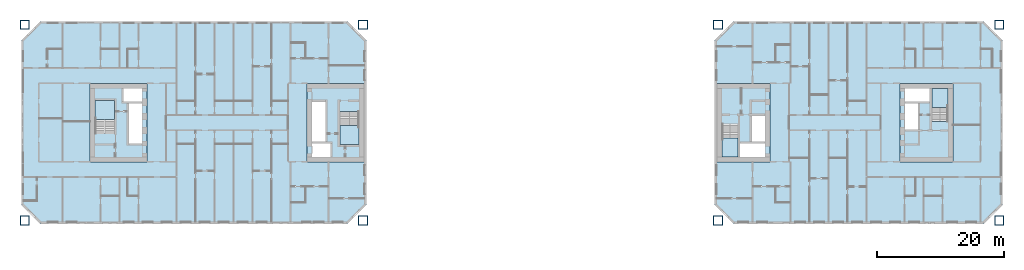
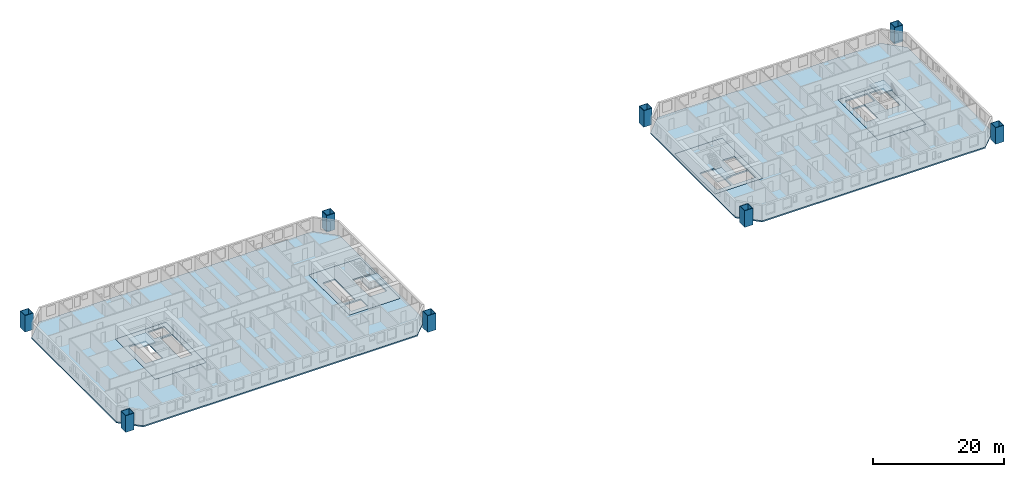
# One storey, part 1 of 17: 10 slabs, 8 columns, 4 elements without a shape of their own.
"""IFC4 building model written with IfcOpenShell, lengths in metres."""

from ifc_helpers import new_model, si_unit, direction, frame, origin, origin_2d, place, context, subcontext, project, spatial, polyline, hollow_rectangle, outline, extrude, material, layer, layer_set, material_profile, profile_set, type_object, element, aggregate, save


model = new_model("IFC4")

# Units and contexts
model_context = context("Model", 3, precision=1e-05, world=origin(), true_north=direction((0.0, 1.0)))
body_context = subcontext(model_context, "Body", "Model", "MODEL_VIEW")
ifc_project = project(units=[si_unit("LENGTHUNIT", "METRE"), si_unit("AREAUNIT", "SQUARE_METRE"), si_unit("VOLUMEUNIT", "CUBIC_METRE"), si_unit("PLANEANGLEUNIT", "RADIAN"), si_unit("MASSUNIT", "GRAM", prefix="KILO")], contexts=[model_context])

# Site, building, storey
site_placement = place(None, origin())
site = spatial("IfcSite", under=ifc_project, at=site_placement, CompositionType="ELEMENT")
building_placement = place(site_placement, origin())
building = spatial("IfcBuilding", under=site, at=building_placement, Name="Tuart Gate Housing", CompositionType="ELEMENT")
storey_placement = place(building_placement, frame((0.0, 0.0, 50.5)))
storey = spatial("IfcBuildingStorey", under=building, at=storey_placement, Name="L13", CompositionType="ELEMENT", Elevation=50.5)

# Columns
ifc_material_1 = material(Name="Steel Grade 350", Category="steel")
ifc_material_profile = material_profile(ifc_material_1, hollow_rectangle(XDim=1.5, YDim=1.5, WallThickness=0.080078125, at=origin_2d()), Name="BOX 1500x1500x80")
ifc_profile_set = profile_set([ifc_material_profile], Name="Steel Grade 350")
column_type = type_object("IfcColumnType", Name="Mega column BOX 1500x1500x80", PredefinedType="COLUMN", material=ifc_profile_set)
for number, where, z_axis, x_axis, name in (
    (1, (22.050048828125, 54.550048828125, 0.0), (0.0, 0.0, 1.0), (1.0, 0.0, 0.0), "Mega column A south-west L13"),
    (2, (75.449951171875, 54.550048828125, 0.0), (0.0, 0.0, 1.0), (1.0, 0.0, 0.0), "Mega column A south-east L13"),
    (3, (75.449951171875, 85.449951171875, 0.0), (0.0, 0.0, 1.0), (1.0, 0.0, 0.0), "Mega column A north-east L13"),
    (4, (22.050048828125, 85.449951171875, 0.0), (0.0, 0.0, 1.0), (1.0, 0.0, 0.0), "Mega column A north-west L13"),
    (5, (131.550048828125, 54.550048828125, 0.0), (0.0, 0.0, 1.0), (1.0, 0.0, 0.0), "Mega column B south-west L13"),
    (6, (175.949951171875, 54.550048828125, 0.0), (0.0, 0.0, 1.0), (1.0, 0.0, 0.0), "Mega column B south-east L13"),
    (7, (175.949951171875, 85.449951171875, 0.0), (0.0, 0.0, 1.0), (1.0, 0.0, 0.0), "Mega column B north-east L13"),
    (8, (131.550048828125, 85.449951171875, 0.0), (0.0, 0.0, 1.0), (1.0, 0.0, 0.0), "Mega column B north-west L13"),
):
    element("IfcColumn", number, at=place(storey_placement, frame(where, z_axis=z_axis, x_axis=x_axis)), inside=storey, type_object=column_type, Name=name, PredefinedType="COLUMN", context=body_context, shape_type="SweptSolid", body=[
        extrude(hollow_rectangle(XDim=1.5, YDim=1.5, WallThickness=0.080078125, at=origin_2d()), origin(), (0.0, 0.0, 1.0), 3.10009765625),
    ])

# Slabs
ifc_material_2 = material(Name="Concrete C40", Category="concrete")
ifc_layer_1 = layer(ifc_material_2, 0.25)
ifc_layer_set_1 = layer_set([ifc_layer_1], Name="Core floor slab 250")
slab_type_1 = type_object("IfcSlabType", Name="Core floor slab 250", PredefinedType="FLOOR", material=ifc_layer_set_1)
slab_1_placement = place(storey_placement, frame((0.0, 0.0, -0.25)))
element("IfcSlab", 9, at=slab_1_placement, inside=storey, type_object=slab_type_1, Name="Core floor AG", PredefinedType="FLOOR", context=body_context, shape_type="SweptSolid", body=[
    extrude(outline(polyline([(66.639892578125, 63.800048828125), (75.639892578125, 63.800048828125), (75.639892578125, 76.199951171875), (66.639892578125, 76.199951171875), (66.639892578125, 63.800048828125)]), holes=[polyline([(67.43994140625, 64.60009765625), (70.3349609375, 64.60009765625), (70.3349609375, 66.675048828125), (67.43994140625, 66.675048828125), (67.43994140625, 64.60009765625)]), polyline([(67.43994140625, 67.02490234375), (69.514892578125, 67.02490234375), (69.514892578125, 73.27490234375), (67.43994140625, 73.27490234375), (67.43994140625, 67.02490234375)]), polyline([(71.81494140625, 66.52490234375), (74.840087890625, 66.52490234375), (74.840087890625, 71.7548828125), (71.81494140625, 71.7548828125), (71.81494140625, 66.52490234375)])]), origin(), (0.0, 0.0, 1.0), 0.25),
])
slab_2_placement = place(storey_placement, frame((0.0, 0.0, -0.25)))
element("IfcSlab", 10, at=slab_2_placement, inside=storey, type_object=slab_type_1, Name="Core floor AK", PredefinedType="FLOOR", context=body_context, shape_type="SweptSolid", body=[
    extrude(outline(polyline([(32.360107421875, 63.800048828125), (41.360107421875, 63.800048828125), (41.360107421875, 76.199951171875), (32.360107421875, 76.199951171875), (32.360107421875, 63.800048828125)]), holes=[polyline([(40.56005859375, 75.39990234375), (37.6650390625, 75.39990234375), (37.6650390625, 73.324951171875), (40.56005859375, 73.324951171875), (40.56005859375, 75.39990234375)]), polyline([(40.56005859375, 72.97509765625), (38.485107421875, 72.97509765625), (38.485107421875, 66.72509765625), (40.56005859375, 66.72509765625), (40.56005859375, 72.97509765625)]), polyline([(36.18505859375, 73.47509765625), (33.159912109375, 73.47509765625), (33.159912109375, 68.2451171875), (36.18505859375, 68.2451171875), (36.18505859375, 73.47509765625)])]), origin(), (0.0, 0.0, 1.0), 0.25),
])
slab_3_placement = place(storey_placement, frame((0.0, 0.0, -0.25)))
element("IfcSlab", 11, at=slab_3_placement, inside=storey, type_object=slab_type_1, Name="Core floor BG", PredefinedType="FLOOR", context=body_context, shape_type="SweptSolid", body=[
    extrude(outline(polyline([(131.360107421875, 63.800048828125), (139.760009765625, 63.800048828125), (139.760009765625, 76.199951171875), (131.360107421875, 76.199951171875), (131.360107421875, 63.800048828125)]), holes=[polyline([(138.9599609375, 66.85009765625), (135.034912109375, 66.85009765625), (135.034912109375, 64.60009765625), (138.9599609375, 64.60009765625), (138.9599609375, 66.85009765625)]), polyline([(138.9599609375, 71.074951171875), (136.885009765625, 71.074951171875), (136.885009765625, 67.02490234375), (138.9599609375, 67.02490234375), (138.9599609375, 71.074951171875)]), polyline([(134.68505859375, 69.804931640625), (132.159912109375, 69.804931640625), (132.159912109375, 64.60009765625), (134.68505859375, 64.60009765625), (134.68505859375, 69.804931640625)])]), origin(), (0.0, 0.0, 1.0), 0.25),
])
slab_4_placement = place(storey_placement, frame((0.0, 0.0, -0.25)))
element("IfcSlab", 12, at=slab_4_placement, inside=storey, type_object=slab_type_1, Name="Core floor BK", PredefinedType="FLOOR", context=body_context, shape_type="SweptSolid", body=[
    extrude(outline(polyline([(160.239990234375, 63.800048828125), (168.639892578125, 63.800048828125), (168.639892578125, 76.199951171875), (160.239990234375, 76.199951171875), (160.239990234375, 63.800048828125)]), holes=[polyline([(161.0400390625, 73.14990234375), (164.965087890625, 73.14990234375), (164.965087890625, 75.39990234375), (161.0400390625, 75.39990234375), (161.0400390625, 73.14990234375)]), polyline([(161.0400390625, 68.925048828125), (163.114990234375, 68.925048828125), (163.114990234375, 72.97509765625), (161.0400390625, 72.97509765625), (161.0400390625, 68.925048828125)]), polyline([(165.31494140625, 70.195068359375), (167.840087890625, 70.195068359375), (167.840087890625, 75.39990234375), (165.31494140625, 75.39990234375), (165.31494140625, 70.195068359375)])]), origin(), (0.0, 0.0, 1.0), 0.25),
])
ifc_material_3 = material(Name="Concrete C40", Category="concrete")
ifc_layer_2 = layer(ifc_material_3, 0.25)
ifc_layer_set_2 = layer_set([ifc_layer_2], Name="Flat plate 250")
slab_type_2 = type_object("IfcSlabType", Name="Flat plate 250", PredefinedType="FLOOR", material=ifc_layer_set_2)
slab_5_placement = place(storey_placement, frame((0.0, 0.0, -0.25)))
element("IfcSlab", 13, at=slab_5_placement, inside=storey, type_object=slab_type_2, Name="Floor slab A L13", PredefinedType="FLOOR", context=body_context, shape_type="SweptSolid", body=[
    extrude(outline(polyline([(24.5, 86.0), (21.5, 83.0), (21.5, 57.0), (24.5, 54.0), (73.0, 54.0), (76.0, 57.0), (76.0, 83.0), (73.0, 86.0), (24.5, 86.0)]), holes=[polyline([(66.639892578125, 76.199951171875), (75.639892578125, 76.199951171875), (75.639892578125, 63.800048828125), (66.639892578125, 63.800048828125), (66.639892578125, 76.199951171875)]), polyline([(41.360107421875, 76.199951171875), (41.360107421875, 63.800048828125), (32.360107421875, 63.800048828125), (32.360107421875, 76.199951171875), (41.360107421875, 76.199951171875)])]), origin(), (0.0, 0.0, 1.0), 0.25),
])
slab_6_placement = place(storey_placement, frame((0.0, 0.0, -0.25)))
element("IfcSlab", 14, at=slab_6_placement, inside=storey, type_object=slab_type_2, Name="Floor slab B L13", PredefinedType="FLOOR", context=body_context, shape_type="SweptSolid", body=[
    extrude(outline(polyline([(134.0, 86.0), (131.0, 83.0), (131.0, 57.0), (134.0, 54.0), (173.5, 54.0), (176.5, 57.0), (176.5, 83.0), (173.5, 86.0), (134.0, 86.0)]), holes=[polyline([(131.360107421875, 76.199951171875), (139.760009765625, 76.199951171875), (139.760009765625, 63.800048828125), (131.360107421875, 63.800048828125), (131.360107421875, 76.199951171875)]), polyline([(168.639892578125, 76.199951171875), (168.639892578125, 63.800048828125), (160.239990234375, 63.800048828125), (160.239990234375, 76.199951171875), (168.639892578125, 76.199951171875)])]), origin(), (0.0, 0.0, 1.0), 0.25),
])

# Stair, slab
ifc_material_4 = material(Name="Concrete C40", Category="concrete")
stair_type_1 = type_object("IfcStairType", Name="Core stair 1500", PredefinedType="HALF_TURN_STAIR", material=ifc_material_4)
stair_1_placement = place(storey_placement, origin())
stair_1 = element("IfcStair", 15, at=stair_1_placement, inside=storey, type_object=stair_type_1, Name="Stair SA1", PredefinedType="HALF_TURN_STAIR")
ifc_material_5 = material(Name="Concrete C40", Category="concrete")
ifc_layer_3 = layer(ifc_material_5, 0.199951171875)
ifc_layer_set_3 = layer_set([ifc_layer_3], Name="Stair landing 200")
slab_type_3 = type_object("IfcSlabType", Name="Stair landing 200", PredefinedType="LANDING", material=ifc_layer_set_3)
slab_7_placement = place(storey_placement, frame((0.0, 0.0, 1.35009765625)))
slab_7 = element("IfcSlab", 16, at=slab_7_placement, type_object=slab_type_3, Name="SA1 landing 1", PredefinedType="LANDING", context=body_context, shape_type="SweptSolid", body=[
    extrude(outline(polyline([(71.81494140625, 66.52490234375), (74.840087890625, 66.52490234375), (74.840087890625, 69.534912109375), (71.81494140625, 69.534912109375), (71.81494140625, 66.52490234375)])), origin(), (0.0, 0.0, 1.0), 0.199951171875),
])
aggregate(stair_1, [slab_7])

stair_2_placement = place(storey_placement, origin())
stair_2 = element("IfcStair", 17, at=stair_2_placement, inside=storey, type_object=stair_type_1, Name="Stair SA2", PredefinedType="HALF_TURN_STAIR")
slab_8_placement = place(storey_placement, frame((0.0, 0.0, 1.35009765625)))
slab_8 = element("IfcSlab", 18, at=slab_8_placement, type_object=slab_type_3, Name="SA2 landing 1", PredefinedType="LANDING", context=body_context, shape_type="SweptSolid", body=[
    extrude(outline(polyline([(36.18505859375, 73.47509765625), (33.159912109375, 73.47509765625), (33.159912109375, 70.465087890625), (36.18505859375, 70.465087890625), (36.18505859375, 73.47509765625)])), origin(), (0.0, 0.0, 1.0), 0.199951171875),
])
aggregate(stair_2, [slab_8])

ifc_material_6 = material(Name="Concrete C40", Category="concrete")
stair_type_2 = type_object("IfcStairType", Name="Core stair 1250", PredefinedType="HALF_TURN_STAIR", material=ifc_material_6)
stair_3_placement = place(storey_placement, origin())
stair_3 = element("IfcStair", 19, at=stair_3_placement, inside=storey, type_object=stair_type_2, Name="Stair SB1", PredefinedType="HALF_TURN_STAIR")
slab_9_placement = place(storey_placement, frame((0.0, 0.0, 1.35009765625)))
slab_9 = element("IfcSlab", 20, at=slab_9_placement, type_object=slab_type_3, Name="SB1 landing 1", PredefinedType="LANDING", context=body_context, shape_type="SweptSolid", body=[
    extrude(outline(polyline([(134.68505859375, 67.5849609375), (132.159912109375, 67.5849609375), (132.159912109375, 64.60009765625), (134.68505859375, 64.60009765625), (134.68505859375, 67.5849609375)])), origin(), (0.0, 0.0, 1.0), 0.199951171875),
])
aggregate(stair_3, [slab_9])

stair_4_placement = place(storey_placement, origin())
stair_4 = element("IfcStair", 21, at=stair_4_placement, inside=storey, type_object=stair_type_2, Name="Stair SB2", PredefinedType="HALF_TURN_STAIR")
slab_10_placement = place(storey_placement, frame((0.0, 0.0, 1.35009765625)))
slab_10 = element("IfcSlab", 22, at=slab_10_placement, type_object=slab_type_3, Name="SB2 landing 1", PredefinedType="LANDING", context=body_context, shape_type="SweptSolid", body=[
    extrude(outline(polyline([(165.31494140625, 72.4150390625), (167.840087890625, 72.4150390625), (167.840087890625, 75.39990234375), (165.31494140625, 75.39990234375), (165.31494140625, 72.4150390625)])), origin(), (0.0, 0.0, 1.0), 0.199951171875),
])
aggregate(stair_4, [slab_10])

save(model, "model.ifc")
